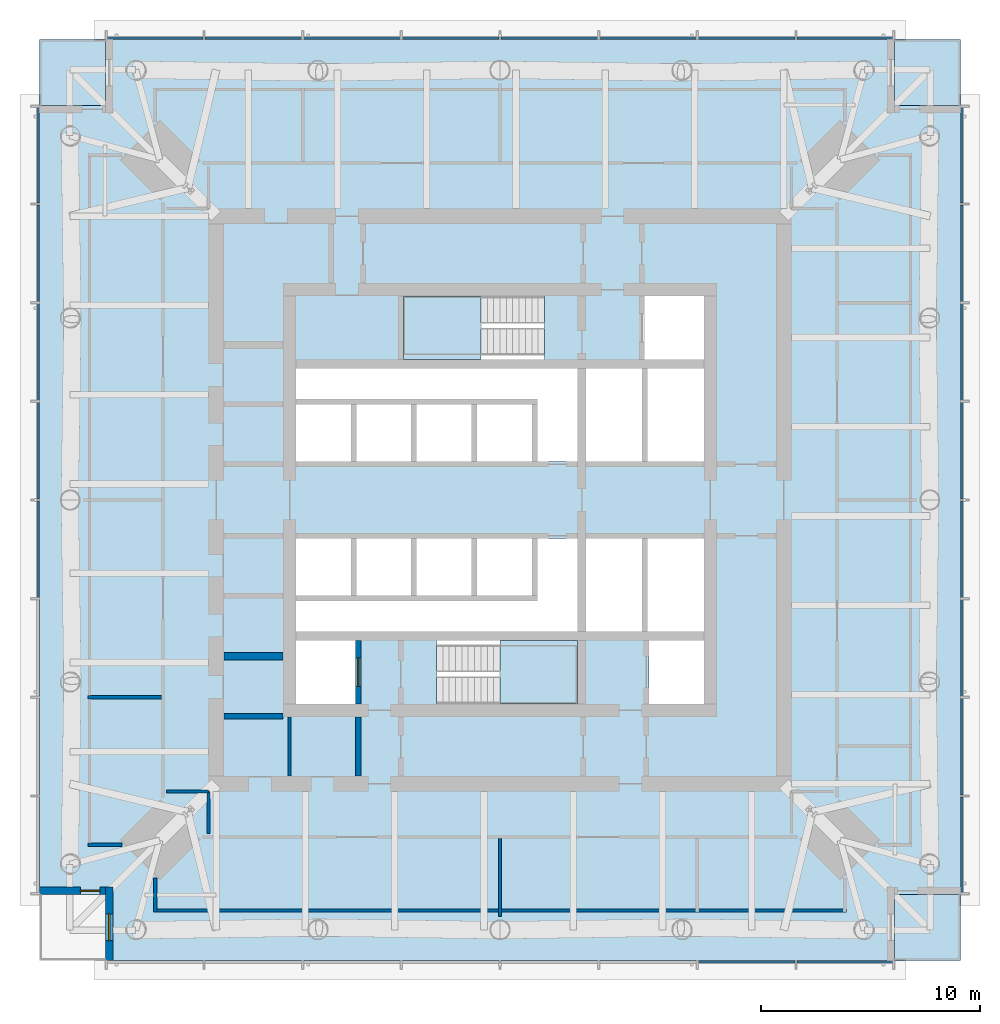
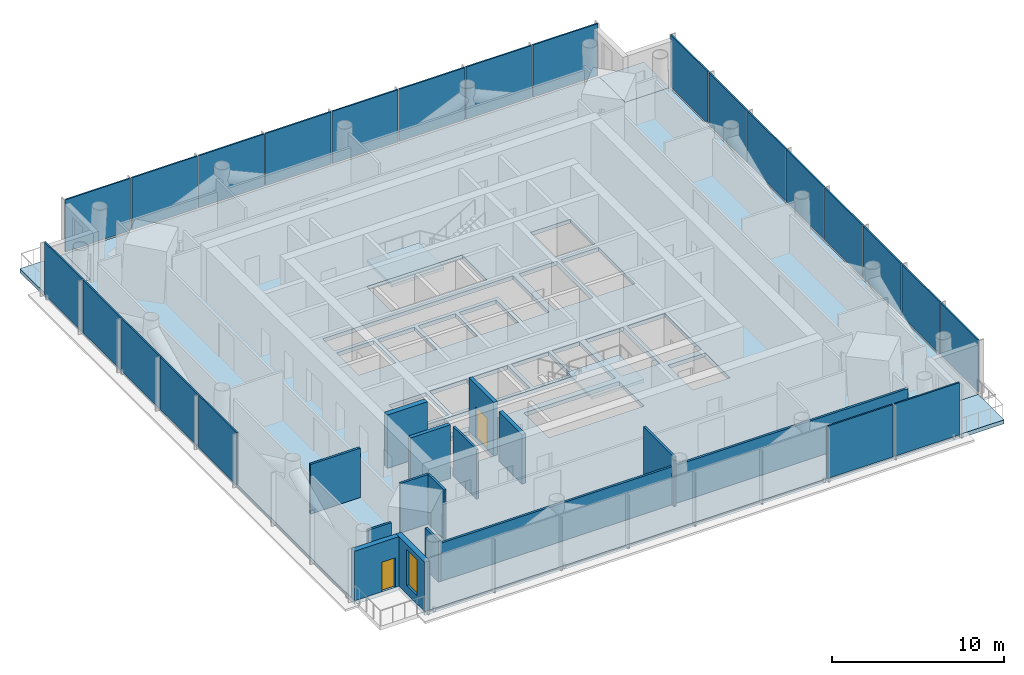
# One storey, part 4 of 13: 23 plates, 14 walls, 6 slabs, 2 doors, 1 window, 3 openings, 6 elements without a shape of their own.
"""IFC4 building model written with IfcOpenShell, lengths in metres."""

from ifc_helpers import new_model, si_unit, direction, frame, frame_2d, origin, origin_2d, place, context, subcontext, project, spatial, polyline, rectangle, outline, extrude, material, layer, layer_set, type_object, element, fill, aggregate, save


model = new_model("IFC4")

# Units and contexts
model_context = context("Model", 3, precision=1e-05, world=origin(), true_north=direction((0.0, 1.0)))
body_context = subcontext(model_context, "Body", "Model", "MODEL_VIEW")
ifc_project = project(units=[si_unit("LENGTHUNIT", "METRE"), si_unit("AREAUNIT", "SQUARE_METRE"), si_unit("VOLUMEUNIT", "CUBIC_METRE"), si_unit("PLANEANGLEUNIT", "RADIAN"), si_unit("MASSUNIT", "GRAM", prefix="KILO")], contexts=[model_context])

# Site, building, storey
site_placement = place(None, origin())
site = spatial("IfcSite", under=ifc_project, at=site_placement, CompositionType="ELEMENT")
building_placement = place(site_placement, origin())
building = spatial("IfcBuilding", under=site, at=building_placement, Name="Ostroluk Exchange", CompositionType="ELEMENT")
storey_placement = place(building_placement, frame((0.0, 0.0, 157.800048828125)))
storey = spatial("IfcBuildingStorey", under=building, at=storey_placement, Name="L40", CompositionType="ELEMENT", Elevation=157.800048828125)

# Curtain wall, plates
ifc_material_1 = material(Name="Laminated clear glass", Category="glass")
curtain_wall_type = type_object("IfcCurtainWallType", Name="Office tower plant and sky lobby facade", PredefinedType="USERDEFINED", material=ifc_material_1)
curtain_wall_1_placement = place(storey_placement, origin())
curtain_wall_1 = element("IfcCurtainWall", 1, at=curtain_wall_1_placement, inside=storey, type_object=curtain_wall_type, Name="Office tower south facade L40", ObjectType="LOUVRED CURTAIN WALL", PredefinedType="USERDEFINED")
ifc_material_2 = material(Name="Aluminium louvre", Category="aluminium")
ifc_layer_1 = layer(ifc_material_2, 0.10009765625)
ifc_layer_set_1 = layer_set([ifc_layer_1], Name="Aluminium louvre panel 100")
plate_type = type_object("IfcPlateType", Name="Aluminium louvre panel 100", PredefinedType="USERDEFINED", material=ifc_layer_set_1)
plate_1_placement = place(storey_placement, frame((56.25, 24.925048828125, 0.080078125), z_axis=(0.0, 0.0, 1.0), x_axis=(1.0, 0.0, 0.0)))
plate_1 = element("IfcPlate", 2, at=plate_1_placement, type_object=plate_type, Name="CW-P1 panel 7.1", ObjectType="LOUVRE PANEL", PredefinedType="USERDEFINED", context=body_context, shape_type="SweptSolid", body=[
    extrude(rectangle(XDim=4.419921875, YDim=0.10009765625, at=origin_2d()), origin(), (0.0, 0.0, 1.0), 3.719970703125),
])
plate_2_placement = place(storey_placement, frame((60.72998046875, 24.925048828125, 0.080078125), z_axis=(0.0, 0.0, 1.0), x_axis=(1.0, 0.0, 0.0)))
plate_2 = element("IfcPlate", 3, at=plate_2_placement, type_object=plate_type, Name="CW-P1 panel 8.1", ObjectType="LOUVRE PANEL", PredefinedType="USERDEFINED", context=body_context, shape_type="SweptSolid", body=[
    extrude(rectangle(XDim=4.3798828125, YDim=0.10009765625, at=origin_2d()), origin(), (0.0, 0.0, 1.0), 3.719970703125),
])
aggregate(curtain_wall_1, [plate_1, plate_2])

curtain_wall_2_placement = place(storey_placement, origin())
curtain_wall_2 = element("IfcCurtainWall", 4, at=curtain_wall_2_placement, inside=storey, type_object=curtain_wall_type, Name="Office tower east facade L40", ObjectType="LOUVRED CURTAIN WALL", PredefinedType="USERDEFINED")
plate_3_placement = place(storey_placement, frame((66.074951171875, 30.27001953125, 0.080078125), z_axis=(0.0, 0.0, 1.0), x_axis=(0.0, 1.0, 0.0)))
plate_3 = element("IfcPlate", 5, at=plate_3_placement, type_object=plate_type, Name="CW-P1 panel 1.1", ObjectType="LOUVRE PANEL", PredefinedType="USERDEFINED", context=body_context, shape_type="SweptSolid", body=[
    extrude(rectangle(XDim=4.3798828125, YDim=0.10009765625, at=origin_2d()), origin(), (0.0, 0.0, 1.0), 3.719970703125),
])
plate_4_placement = place(storey_placement, frame((66.074951171875, 34.75, 0.080078125), z_axis=(0.0, 0.0, 1.0), x_axis=(0.0, 1.0, 0.0)))
plate_4 = element("IfcPlate", 6, at=plate_4_placement, type_object=plate_type, Name="CW-P1 panel 2.1", ObjectType="LOUVRE PANEL", PredefinedType="USERDEFINED", context=body_context, shape_type="SweptSolid", body=[
    extrude(rectangle(XDim=4.419921875, YDim=0.10009765625, at=origin_2d()), origin(), (0.0, 0.0, 1.0), 3.719970703125),
])
plate_5_placement = place(storey_placement, frame((66.074951171875, 39.25, 0.080078125), z_axis=(0.0, 0.0, 1.0), x_axis=(0.0, 1.0, 0.0)))
plate_5 = element("IfcPlate", 7, at=plate_5_placement, type_object=plate_type, Name="CW-P1 panel 3.1", ObjectType="LOUVRE PANEL", PredefinedType="USERDEFINED", context=body_context, shape_type="SweptSolid", body=[
    extrude(rectangle(XDim=4.419921875, YDim=0.10009765625, at=origin_2d()), origin(), (0.0, 0.0, 1.0), 3.719970703125),
])
plate_6_placement = place(storey_placement, frame((66.074951171875, 43.75, 0.080078125), z_axis=(0.0, 0.0, 1.0), x_axis=(0.0, 1.0, 0.0)))
plate_6 = element("IfcPlate", 8, at=plate_6_placement, type_object=plate_type, Name="CW-P1 panel 4.1", ObjectType="LOUVRE PANEL", PredefinedType="USERDEFINED", context=body_context, shape_type="SweptSolid", body=[
    extrude(rectangle(XDim=4.419921875, YDim=0.10009765625, at=origin_2d()), origin(), (0.0, 0.0, 1.0), 3.719970703125),
])
plate_7_placement = place(storey_placement, frame((66.074951171875, 48.25, 0.080078125), z_axis=(0.0, 0.0, 1.0), x_axis=(0.0, 1.0, 0.0)))
plate_7 = element("IfcPlate", 9, at=plate_7_placement, type_object=plate_type, Name="CW-P1 panel 5.1", ObjectType="LOUVRE PANEL", PredefinedType="USERDEFINED", context=body_context, shape_type="SweptSolid", body=[
    extrude(rectangle(XDim=4.419921875, YDim=0.10009765625, at=origin_2d()), origin(), (0.0, 0.0, 1.0), 3.719970703125),
])
plate_8_placement = place(storey_placement, frame((66.074951171875, 52.75, 0.080078125), z_axis=(0.0, 0.0, 1.0), x_axis=(0.0, 1.0, 0.0)))
plate_8 = element("IfcPlate", 10, at=plate_8_placement, type_object=plate_type, Name="CW-P1 panel 6.1", ObjectType="LOUVRE PANEL", PredefinedType="USERDEFINED", context=body_context, shape_type="SweptSolid", body=[
    extrude(rectangle(XDim=4.419921875, YDim=0.10009765625, at=origin_2d()), origin(), (0.0, 0.0, 1.0), 3.719970703125),
])
plate_9_placement = place(storey_placement, frame((66.074951171875, 57.25, 0.080078125), z_axis=(0.0, 0.0, 1.0), x_axis=(0.0, 1.0, 0.0)))
plate_9 = element("IfcPlate", 11, at=plate_9_placement, type_object=plate_type, Name="CW-P1 panel 7.1", ObjectType="LOUVRE PANEL", PredefinedType="USERDEFINED", context=body_context, shape_type="SweptSolid", body=[
    extrude(rectangle(XDim=4.419921875, YDim=0.10009765625, at=origin_2d()), origin(), (0.0, 0.0, 1.0), 3.719970703125),
])
plate_10_placement = place(storey_placement, frame((66.074951171875, 61.72998046875, 0.080078125), z_axis=(0.0, 0.0, 1.0), x_axis=(0.0, 1.0, 0.0)))
plate_10 = element("IfcPlate", 12, at=plate_10_placement, type_object=plate_type, Name="CW-P1 panel 8.1", ObjectType="LOUVRE PANEL", PredefinedType="USERDEFINED", context=body_context, shape_type="SweptSolid", body=[
    extrude(rectangle(XDim=4.3798828125, YDim=0.10009765625, at=origin_2d()), origin(), (0.0, 0.0, 1.0), 3.719970703125),
])
aggregate(curtain_wall_2, [plate_3, plate_4, plate_5, plate_6, plate_7, plate_8, plate_9, plate_10])

curtain_wall_3_placement = place(storey_placement, origin())
curtain_wall_3 = element("IfcCurtainWall", 13, at=curtain_wall_3_placement, inside=storey, type_object=curtain_wall_type, Name="Office tower north facade L40", ObjectType="LOUVRED CURTAIN WALL", PredefinedType="USERDEFINED")
plate_11_placement = place(storey_placement, frame((60.72998046875, 67.074951171875, 0.080078125), z_axis=(0.0, 0.0, 1.0), x_axis=(-1.0, 0.0, 0.0)))
plate_11 = element("IfcPlate", 14, at=plate_11_placement, type_object=plate_type, Name="CW-P1 panel 1.1", ObjectType="LOUVRE PANEL", PredefinedType="USERDEFINED", context=body_context, shape_type="SweptSolid", body=[
    extrude(rectangle(XDim=4.3798828125, YDim=0.10009765625, at=origin_2d()), origin(), (0.0, 0.0, 1.0), 3.719970703125),
])
plate_12_placement = place(storey_placement, frame((56.25, 67.074951171875, 0.080078125), z_axis=(0.0, 0.0, 1.0), x_axis=(-1.0, 0.0, 0.0)))
plate_12 = element("IfcPlate", 15, at=plate_12_placement, type_object=plate_type, Name="CW-P1 panel 2.1", ObjectType="LOUVRE PANEL", PredefinedType="USERDEFINED", context=body_context, shape_type="SweptSolid", body=[
    extrude(rectangle(XDim=4.419921875, YDim=0.10009765625, at=origin_2d()), origin(), (0.0, 0.0, 1.0), 3.719970703125),
])
plate_13_placement = place(storey_placement, frame((51.75, 67.074951171875, 0.080078125), z_axis=(0.0, 0.0, 1.0), x_axis=(-1.0, 0.0, 0.0)))
plate_13 = element("IfcPlate", 16, at=plate_13_placement, type_object=plate_type, Name="CW-P1 panel 3.1", ObjectType="LOUVRE PANEL", PredefinedType="USERDEFINED", context=body_context, shape_type="SweptSolid", body=[
    extrude(rectangle(XDim=4.419921875, YDim=0.10009765625, at=origin_2d()), origin(), (0.0, 0.0, 1.0), 3.719970703125),
])
plate_14_placement = place(storey_placement, frame((47.25, 67.074951171875, 0.080078125), z_axis=(0.0, 0.0, 1.0), x_axis=(-1.0, 0.0, 0.0)))
plate_14 = element("IfcPlate", 17, at=plate_14_placement, type_object=plate_type, Name="CW-P1 panel 4.1", ObjectType="LOUVRE PANEL", PredefinedType="USERDEFINED", context=body_context, shape_type="SweptSolid", body=[
    extrude(rectangle(XDim=4.419921875, YDim=0.10009765625, at=origin_2d()), origin(), (0.0, 0.0, 1.0), 3.719970703125),
])
plate_15_placement = place(storey_placement, frame((42.75, 67.074951171875, 0.080078125), z_axis=(0.0, 0.0, 1.0), x_axis=(-1.0, 0.0, 0.0)))
plate_15 = element("IfcPlate", 18, at=plate_15_placement, type_object=plate_type, Name="CW-P1 panel 5.1", ObjectType="LOUVRE PANEL", PredefinedType="USERDEFINED", context=body_context, shape_type="SweptSolid", body=[
    extrude(rectangle(XDim=4.419921875, YDim=0.10009765625, at=origin_2d()), origin(), (0.0, 0.0, 1.0), 3.719970703125),
])
plate_16_placement = place(storey_placement, frame((38.25, 67.074951171875, 0.080078125), z_axis=(0.0, 0.0, 1.0), x_axis=(-1.0, 0.0, 0.0)))
plate_16 = element("IfcPlate", 19, at=plate_16_placement, type_object=plate_type, Name="CW-P1 panel 6.1", ObjectType="LOUVRE PANEL", PredefinedType="USERDEFINED", context=body_context, shape_type="SweptSolid", body=[
    extrude(rectangle(XDim=4.419921875, YDim=0.10009765625, at=origin_2d()), origin(), (0.0, 0.0, 1.0), 3.719970703125),
])
plate_17_placement = place(storey_placement, frame((33.75, 67.074951171875, 0.080078125), z_axis=(0.0, 0.0, 1.0), x_axis=(-1.0, 0.0, 0.0)))
plate_17 = element("IfcPlate", 20, at=plate_17_placement, type_object=plate_type, Name="CW-P1 panel 7.1", ObjectType="LOUVRE PANEL", PredefinedType="USERDEFINED", context=body_context, shape_type="SweptSolid", body=[
    extrude(rectangle(XDim=4.419921875, YDim=0.10009765625, at=origin_2d()), origin(), (0.0, 0.0, 1.0), 3.719970703125),
])
plate_18_placement = place(storey_placement, frame((29.27001953125, 67.074951171875, 0.080078125), z_axis=(0.0, 0.0, 1.0), x_axis=(-1.0, 0.0, 0.0)))
plate_18 = element("IfcPlate", 21, at=plate_18_placement, type_object=plate_type, Name="CW-P1 panel 8.1", ObjectType="LOUVRE PANEL", PredefinedType="USERDEFINED", context=body_context, shape_type="SweptSolid", body=[
    extrude(rectangle(XDim=4.3798828125, YDim=0.10009765625, at=origin_2d()), origin(), (0.0, 0.0, 1.0), 3.719970703125),
])
aggregate(curtain_wall_3, [plate_11, plate_12, plate_13, plate_14, plate_15, plate_16, plate_17, plate_18])

curtain_wall_4_placement = place(storey_placement, origin())
curtain_wall_4 = element("IfcCurtainWall", 22, at=curtain_wall_4_placement, inside=storey, type_object=curtain_wall_type, Name="Office tower west facade L40", ObjectType="LOUVRED CURTAIN WALL", PredefinedType="USERDEFINED")
plate_19_placement = place(storey_placement, frame((23.925048828125, 61.72998046875, 0.080078125), z_axis=(0.0, 0.0, 1.0), x_axis=(0.0, -1.0, 0.0)))
plate_19 = element("IfcPlate", 23, at=plate_19_placement, type_object=plate_type, Name="CW-P1 panel 1.1", ObjectType="LOUVRE PANEL", PredefinedType="USERDEFINED", context=body_context, shape_type="SweptSolid", body=[
    extrude(rectangle(XDim=4.3798828125, YDim=0.10009765625, at=origin_2d()), origin(), (0.0, 0.0, 1.0), 3.719970703125),
])
plate_20_placement = place(storey_placement, frame((23.925048828125, 57.25, 0.080078125), z_axis=(0.0, 0.0, 1.0), x_axis=(0.0, -1.0, 0.0)))
plate_20 = element("IfcPlate", 24, at=plate_20_placement, type_object=plate_type, Name="CW-P1 panel 2.1", ObjectType="LOUVRE PANEL", PredefinedType="USERDEFINED", context=body_context, shape_type="SweptSolid", body=[
    extrude(rectangle(XDim=4.419921875, YDim=0.10009765625, at=origin_2d()), origin(), (0.0, 0.0, 1.0), 3.719970703125),
])
plate_21_placement = place(storey_placement, frame((23.925048828125, 52.75, 0.080078125), z_axis=(0.0, 0.0, 1.0), x_axis=(0.0, -1.0, 0.0)))
plate_21 = element("IfcPlate", 25, at=plate_21_placement, type_object=plate_type, Name="CW-P1 panel 3.1", ObjectType="LOUVRE PANEL", PredefinedType="USERDEFINED", context=body_context, shape_type="SweptSolid", body=[
    extrude(rectangle(XDim=4.419921875, YDim=0.10009765625, at=origin_2d()), origin(), (0.0, 0.0, 1.0), 3.719970703125),
])
plate_22_placement = place(storey_placement, frame((23.925048828125, 48.25, 0.080078125), z_axis=(0.0, 0.0, 1.0), x_axis=(0.0, -1.0, 0.0)))
plate_22 = element("IfcPlate", 26, at=plate_22_placement, type_object=plate_type, Name="CW-P1 panel 4.1", ObjectType="LOUVRE PANEL", PredefinedType="USERDEFINED", context=body_context, shape_type="SweptSolid", body=[
    extrude(rectangle(XDim=4.419921875, YDim=0.10009765625, at=origin_2d()), origin(), (0.0, 0.0, 1.0), 3.719970703125),
])
plate_23_placement = place(storey_placement, frame((23.925048828125, 43.75, 0.080078125), z_axis=(0.0, 0.0, 1.0), x_axis=(0.0, -1.0, 0.0)))
plate_23 = element("IfcPlate", 27, at=plate_23_placement, type_object=plate_type, Name="CW-P1 panel 5.1", ObjectType="LOUVRE PANEL", PredefinedType="USERDEFINED", context=body_context, shape_type="SweptSolid", body=[
    extrude(rectangle(XDim=4.419921875, YDim=0.10009765625, at=origin_2d()), origin(), (0.0, 0.0, 1.0), 3.719970703125),
])
aggregate(curtain_wall_4, [plate_19, plate_20, plate_21, plate_22, plate_23])

# Slabs
ifc_material_3 = material(Name="Concrete C35/45", Category="concrete")
ifc_layer_2 = layer(ifc_material_3, 0.280029296875)
ifc_layer_set_2 = layer_set([ifc_layer_2], Name="Maintenance platform slab 280")
slab_type_1 = type_object("IfcSlabType", Name="Maintenance platform slab 280", PredefinedType="USERDEFINED", material=ifc_layer_set_2)
slab_1_placement = place(storey_placement, frame((0.0, 0.0, -0.280029296875)))
element("IfcSlab", 28, at=slab_1_placement, inside=storey, type_object=slab_type_1, Name="Office tower SE maintenance platform L40", ObjectType="MAINTENANCE PLATFORM", PredefinedType="USERDEFINED", context=body_context, shape_type="SweptSolid", body=[
    extrude(outline(polyline([(63.0, 25.0), (66.0, 25.0), (66.0, 28.0), (63.0, 28.0), (63.0, 25.0)])), origin(), (0.0, 0.0, 1.0), 0.280029296875),
])
slab_2_placement = place(storey_placement, frame((0.0, 0.0, -0.280029296875)))
element("IfcSlab", 29, at=slab_2_placement, inside=storey, type_object=slab_type_1, Name="Office tower NE maintenance platform L40", ObjectType="MAINTENANCE PLATFORM", PredefinedType="USERDEFINED", context=body_context, shape_type="SweptSolid", body=[
    extrude(outline(polyline([(63.0, 64.0), (66.0, 64.0), (66.0, 67.0), (63.0, 67.0), (63.0, 64.0)])), origin(), (0.0, 0.0, 1.0), 0.280029296875),
])
slab_3_placement = place(storey_placement, frame((0.0, 0.0, -0.280029296875)))
element("IfcSlab", 30, at=slab_3_placement, inside=storey, type_object=slab_type_1, Name="Office tower NW maintenance platform L40", ObjectType="MAINTENANCE PLATFORM", PredefinedType="USERDEFINED", context=body_context, shape_type="SweptSolid", body=[
    extrude(outline(polyline([(24.0, 64.0), (27.0, 64.0), (27.0, 67.0), (24.0, 67.0), (24.0, 64.0)])), origin(), (0.0, 0.0, 1.0), 0.280029296875),
])

# Stair, slab
ifc_material_4 = material(Name="Concrete C30/37", Category="concrete")
stair_type = type_object("IfcStairType", Name="Exit stair half turn 3800", PredefinedType="HALF_TURN_STAIR", material=ifc_material_4)
stair_1_placement = place(storey_placement, origin())
stair_1 = element("IfcStair", 31, at=stair_1_placement, inside=storey, type_object=stair_type, Name="Stair T1-S1 L40", PredefinedType="HALF_TURN_STAIR")
ifc_material_5 = material(Name="Concrete C30/37", Category="concrete")
ifc_layer_3 = layer(ifc_material_5, 0.199951171875)
ifc_layer_set_3 = layer_set([ifc_layer_3], Name="Stair landing 200")
slab_type_2 = type_object("IfcSlabType", Name="Stair landing 200", PredefinedType="LANDING", material=ifc_layer_set_3)
slab_4_placement = place(storey_placement, frame((0.0, 0.0, 1.699951171875)))
slab_4 = element("IfcSlab", 32, at=slab_4_placement, type_object=slab_type_2, Name="T1-S1 landing 1", PredefinedType="LANDING", context=body_context, shape_type="SweptSolid", body=[
    extrude(outline(polyline([(45.0, 36.699951171875), (45.0, 39.60009765625), (48.530029296875, 39.60009765625), (48.530029296875, 36.699951171875), (45.0, 36.699951171875)])), origin(), (0.0, 0.0, 1.0), 0.199951171875),
])
aggregate(stair_1, [slab_4])

stair_2_placement = place(storey_placement, origin())
stair_2 = element("IfcStair", 33, at=stair_2_placement, inside=storey, type_object=stair_type, Name="Stair T1-S2 L40", PredefinedType="HALF_TURN_STAIR")
slab_5_placement = place(storey_placement, frame((0.0, 0.0, 1.699951171875)))
slab_5 = element("IfcSlab", 34, at=slab_5_placement, type_object=slab_type_2, Name="T1-S2 landing 1", PredefinedType="LANDING", context=body_context, shape_type="SweptSolid", body=[
    extrude(outline(polyline([(44.1298828125, 52.39990234375), (44.1298828125, 55.300048828125), (40.60009765625, 55.300048828125), (40.60009765625, 52.39990234375), (44.1298828125, 52.39990234375)])), origin(), (0.0, 0.0, 1.0), 0.199951171875),
])
aggregate(stair_2, [slab_5])

# Slab
ifc_material_6 = material(Name="Concrete C35/45", Category="concrete")
ifc_layer_4 = layer(ifc_material_6, 0.280029296875)
ifc_layer_set_4 = layer_set([ifc_layer_4], Name="Tower floor slab 280")
slab_type_3 = type_object("IfcSlabType", Name="Tower floor slab 280", PredefinedType="FLOOR", material=ifc_layer_set_4)
slab_6_placement = place(storey_placement, frame((0.0, 0.0, -0.280029296875)))
element("IfcSlab", 35, at=slab_6_placement, inside=storey, type_object=slab_type_3, Name="Office tower floor slab L40", PredefinedType="FLOOR", context=body_context, shape_type="SweptSolid", body=[
    extrude(outline(polyline([(27.0, 25.0), (63.0, 25.0), (63.0, 28.0), (66.0, 28.0), (66.0, 64.0), (63.0, 64.0), (63.0, 67.0), (27.0, 67.0), (27.0, 64.0), (24.0, 64.0), (24.0, 28.0), (27.0, 28.0), (27.0, 25.0)]), holes=[polyline([(35.699951171875, 36.699951171875), (38.39990234375, 36.699951171875), (38.39990234375, 39.60009765625), (35.699951171875, 39.60009765625), (35.699951171875, 36.699951171875)]), polyline([(42.110107421875, 36.699951171875), (48.530029296875, 36.699951171875), (48.530029296875, 39.60009765625), (42.110107421875, 39.60009765625), (42.110107421875, 36.699951171875)]), polyline([(51.800048828125, 36.699951171875), (54.300048828125, 36.699951171875), (54.300048828125, 39.60009765625), (51.800048828125, 39.60009765625), (51.800048828125, 36.699951171875)]), polyline([(40.60009765625, 52.39990234375), (47.02001953125, 52.39990234375), (47.02001953125, 55.300048828125), (40.60009765625, 55.300048828125), (40.60009765625, 52.39990234375)]), polyline([(51.60009765625, 52.39990234375), (54.300048828125, 52.39990234375), (54.300048828125, 55.300048828125), (51.60009765625, 55.300048828125), (51.60009765625, 52.39990234375)]), polyline([(35.699951171875, 47.75), (38.199951171875, 47.75), (38.199951171875, 50.35009765625), (35.699951171875, 50.35009765625), (35.699951171875, 47.75)]), polyline([(38.449951171875, 47.75), (40.949951171875, 47.75), (40.949951171875, 50.35009765625), (38.449951171875, 50.35009765625), (38.449951171875, 47.75)]), polyline([(41.199951171875, 47.75), (43.699951171875, 47.75), (43.699951171875, 50.35009765625), (41.199951171875, 50.35009765625), (41.199951171875, 47.75)]), polyline([(43.949951171875, 47.75), (46.449951171875, 47.75), (46.449951171875, 50.35009765625), (43.949951171875, 50.35009765625), (43.949951171875, 47.75)]), polyline([(35.699951171875, 41.64990234375), (38.199951171875, 41.64990234375), (38.199951171875, 44.25), (35.699951171875, 44.25), (35.699951171875, 41.64990234375)]), polyline([(38.449951171875, 41.64990234375), (40.949951171875, 41.64990234375), (40.949951171875, 44.25), (38.449951171875, 44.25), (38.449951171875, 41.64990234375)]), polyline([(41.199951171875, 41.64990234375), (43.699951171875, 41.64990234375), (43.699951171875, 44.25), (41.199951171875, 44.25), (41.199951171875, 41.64990234375)]), polyline([(43.949951171875, 41.64990234375), (46.449951171875, 41.64990234375), (46.449951171875, 44.25), (43.949951171875, 44.25), (43.949951171875, 41.64990234375)]), polyline([(48.929931640625, 47.75), (51.489990234375, 47.75), (51.489990234375, 52.0), (48.929931640625, 52.0), (48.929931640625, 47.75)]), polyline([(51.739990234375, 47.75), (54.300048828125, 47.75), (54.300048828125, 52.0), (51.739990234375, 52.0), (51.739990234375, 47.75)]), polyline([(48.929931640625, 40.0), (51.489990234375, 40.0), (51.489990234375, 44.25), (48.929931640625, 44.25), (48.929931640625, 40.0)]), polyline([(51.739990234375, 40.0), (54.300048828125, 40.0), (54.300048828125, 44.25), (51.739990234375, 44.25), (51.739990234375, 40.0)]), polyline([(48.530029296875, 52.0), (48.530029296875, 47.75), (46.699951171875, 47.75), (46.699951171875, 50.60009765625), (35.699951171875, 50.60009765625), (35.699951171875, 52.0), (48.530029296875, 52.0)]), polyline([(35.699951171875, 40.0), (35.699951171875, 41.39990234375), (46.699951171875, 41.39990234375), (46.699951171875, 44.25), (48.530029296875, 44.25), (48.530029296875, 40.0), (35.699951171875, 40.0)])]), origin(), (0.0, 0.0, 1.0), 0.280029296875),
])

# Walls
ifc_material_7 = material(Name="Concrete blockwork", Category="masonry")
ifc_layer_5 = layer(ifc_material_7, 0.14990234375)
ifc_layer_set_5 = layer_set([ifc_layer_5], Name="Blockwork plant room wall 150")
wall_type_1 = type_object("IfcWallType", Name="Blockwork plant room wall 150", PredefinedType="SOLIDWALL", material=ifc_layer_set_5)
wall_1_placement = place(storey_placement, frame((35.39990234375, 33.39990234375, 0.0), z_axis=(0.0, 0.0, 1.0), x_axis=(0.0, 1.0, 0.0)))
element("IfcWall", 36, at=wall_1_placement, inside=storey, type_object=wall_type_1, Name="Core room wall", PredefinedType="SOLIDWALL", context=body_context, shape_type="SweptSolid", body=[
    extrude(rectangle(XDim=2.7001953125, YDim=0.14990234375, at=frame_2d((1.35009765625, 0.0))), origin(), (0.0, 0.0, 1.0), 3.52001953125),
])
wall_2_placement = place(storey_placement, frame((29.550048828125, 37.0, 0.0), z_axis=(0.0, 0.0, 1.0), x_axis=(-1.0, 0.0, 0.0)))
element("IfcWall", 37, at=wall_2_placement, inside=storey, type_object=wall_type_1, Name="Plant room wall", PredefinedType="SOLIDWALL", context=body_context, shape_type="SweptSolid", body=[
    extrude(rectangle(XDim=3.35009765625, YDim=0.14990234375, at=frame_2d((1.675048828125, 0.0))), origin(), (0.0, 0.0, 1.0), 3.52001953125),
])
wall_3_placement = place(storey_placement, frame((45.0, 30.550048828125, 0.0), z_axis=(0.0, 0.0, 1.0), x_axis=(0.0, -1.0, 0.0)))
element("IfcWall", 38, at=wall_3_placement, inside=storey, type_object=wall_type_1, Name="Plant room wall", PredefinedType="SOLIDWALL", context=body_context, shape_type="SweptSolid", body=[
    extrude(rectangle(XDim=3.56005859375, YDim=0.14990234375, at=frame_2d((1.780029296875, 0.0))), origin(), (0.0, 0.0, 1.0), 3.52001953125),
])
ifc_material_8 = material(Name="Concrete blockwork", Category="masonry")
ifc_layer_6 = layer(ifc_material_8, 0.25)
ifc_layer_set_6 = layer_set([ifc_layer_6], Name="Blockwork stair enclosure wall 250")
wall_type_2 = type_object("IfcWallType", Name="Blockwork stair enclosure wall 250", PredefinedType="SOLIDWALL", material=ifc_layer_set_6)
wall_4_placement = place(storey_placement, frame((38.52490234375, 33.39990234375, 0.0), z_axis=(0.0, 0.0, 1.0), x_axis=(0.0, 1.0, 0.0)))
element("IfcWall", 39, at=wall_4_placement, inside=storey, type_object=wall_type_2, Name="Fire lobby enclosure wall", PredefinedType="SOLIDWALL", context=body_context, shape_type="SweptSolid", body=[
    extrude(rectangle(XDim=2.7001953125, YDim=0.25, at=frame_2d((1.35009765625, 0.0))), origin(), (0.0, 0.0, 1.0), 3.52001953125),
])

# Wall, opening, door
ifc_material_9 = material(Name="Concrete C40/50", Category="concrete")
ifc_layer_7 = layer(ifc_material_9, 0.25)
ifc_layer_set_7 = layer_set([ifc_layer_7], Name="Core shaft wall 250")
wall_type_3 = type_object("IfcWallType", Name="Core shaft wall 250", PredefinedType="SHEAR", material=ifc_layer_set_7)
wall_5_placement = place(storey_placement, frame((38.52490234375, 36.699951171875, 0.0), z_axis=(0.0, 0.0, 1.0), x_axis=(0.0, 1.0, 0.0)))
wall_5 = element("IfcWall", 40, at=wall_5_placement, inside=storey, type_object=wall_type_3, Name="Firefighting lift shaft wall", PredefinedType="SHEAR", context=body_context, shape_type="SweptSolid", body=[
    extrude(rectangle(XDim=2.900146484375, YDim=0.25, at=frame_2d((1.4501953125, 0.0))), origin(), (0.0, 0.0, 1.0), 3.800048828125),
])
opening_1_placement = place(wall_5_placement, frame((0.800048828125, 0.0, 0.0)))
opening_1 = element("IfcOpeningElement", 41, at=opening_1_placement, cuts=wall_5, Name="Opening LD2", PredefinedType="OPENING", context=body_context, shape_type="SweptSolid", body=[
    extrude(rectangle(XDim=1.300048828125, YDim=2.199951171875, at=frame_2d((0.64990234375, 1.10009765625))), frame((0.0, 0.135009765625, 0.0), z_axis=(0.0, -1.0, 0.0), x_axis=(1.0, 0.0, 0.0)), (0.0, 0.0, 1.0), 0.27001953125),
])
ifc_material_10 = material(Name="Stainless steel", Category="steel")
door_type_1 = type_object("IfcDoorType", Name="Lift landing door E 60 1300 x 2200", OperationType="DOUBLE_DOOR_SLIDING", PredefinedType="DOOR", material=ifc_material_10)
door_1_placement = place(opening_1_placement, origin())
door_1 = element("IfcDoor", 42, at=door_1_placement, inside=storey, type_object=door_type_1, Name="Lift FL1 landing door", OperationType="DOUBLE_DOOR_SLIDING", OverallHeight=2.199951171875, OverallWidth=1.300048828125, PredefinedType="DOOR", context=body_context, shape_type="SweptSolid", body=[
    extrude(rectangle(XDim=1.300048828125, YDim=2.199951171875, at=frame_2d((0.64990234375, 1.10009765625))), frame((0.0, 0.02490234375, 0.0), z_axis=(0.0, -1.0, 0.0), x_axis=(1.0, 0.0, 0.0)), (0.0, 0.0, 1.0), 0.050048828125),
])
fill(opening_1, door_1)

# Walls
wall_6_placement = place(storey_placement, frame((32.39990234375, 36.125, 0.0), z_axis=(0.0, 0.0, 1.0), x_axis=(1.0, 0.0, 0.0)))
element("IfcWall", 43, at=wall_6_placement, inside=storey, type_object=wall_type_3, Name="Lift shaft wall", PredefinedType="SHEAR", context=body_context, shape_type="SweptSolid", body=[
    extrude(rectangle(XDim=2.7001953125, YDim=0.25, at=frame_2d((1.35009765625, 0.0))), origin(), (0.0, 0.0, 1.0), 3.800048828125),
])
wall_7_placement = place(storey_placement, frame((32.39990234375, 38.875, 0.0), z_axis=(0.0, 0.0, 1.0), x_axis=(1.0, 0.0, 0.0)))
element("IfcWall", 44, at=wall_7_placement, inside=storey, type_object=wall_type_3, Name="Lift shaft wall", PredefinedType="SHEAR", context=body_context, shape_type="SweptSolid", body=[
    extrude(rectangle(XDim=2.7001953125, YDim=0.35009765625, at=frame_2d((1.35009765625, 0.0))), origin(), (0.0, 0.0, 1.0), 3.800048828125),
])

# Wall, opening, window
ifc_material_11 = material(Name="Limestone", Category="masonry")
ifc_layer_8 = layer(ifc_material_11, 0.35009765625)
ifc_layer_set_8 = layer_set([ifc_layer_8], Name="Limestone facade wall 350")
wall_type_4 = type_object("IfcWallType", Name="Limestone facade wall 350", PredefinedType="SOLIDWALL", material=ifc_layer_set_8)
wall_8_placement = place(storey_placement, frame((27.175048828125, 25.0, 0.0), z_axis=(0.0, 0.0, 1.0), x_axis=(0.0, 1.0, 0.0)))
wall_8 = element("IfcWall", 45, at=wall_8_placement, inside=storey, type_object=wall_type_4, Name="Office tower SW corner wall L40 a", PredefinedType="SOLIDWALL", context=body_context, shape_type="SweptSolid", body=[
    extrude(rectangle(XDim=3.35009765625, YDim=0.35009765625, at=frame_2d((1.675048828125, 0.0))), origin(), (0.0, 0.0, 1.0), 3.52001953125),
])
opening_2_placement = place(wall_8_placement, frame((0.89990234375, 0.0, 0.60009765625)))
opening_2 = element("IfcOpeningElement", 46, at=opening_2_placement, cuts=wall_8, Name="Opening WN-LV1", PredefinedType="OPENING", context=body_context, shape_type="SweptSolid", body=[
    extrude(rectangle(XDim=1.199951171875, YDim=2.550048828125, at=frame_2d((0.60009765625, 1.27490234375))), frame((0.0, 0.18505859375, 0.0), z_axis=(0.0, -1.0, 0.0), x_axis=(1.0, 0.0, 0.0)), (0.0, 0.0, 1.0), 0.3701171875),
])
ifc_material_12 = material(Name="Aluminium louvre", Category="aluminium")
window_type = type_object("IfcWindowType", Name="Lancet louvre 1200 x 2550", PartitioningType="SINGLE_PANEL", PredefinedType="USERDEFINED", material=ifc_material_12)
window_placement = place(opening_2_placement, origin())
window = element("IfcWindow", 47, at=window_placement, inside=storey, type_object=window_type, Name="Office tower SW plant louvre L40", ObjectType="LOUVRE", OverallHeight=2.550048828125, OverallWidth=1.199951171875, PartitioningType="SINGLE_PANEL", PredefinedType="USERDEFINED", context=body_context, shape_type="SweptSolid", body=[
    extrude(rectangle(XDim=1.199951171875, YDim=2.550048828125, at=frame_2d((0.60009765625, 1.27490234375))), frame((0.0, 0.030029296875, 0.0), z_axis=(0.0, -1.0, 0.0), x_axis=(1.0, 0.0, 0.0)), (0.0, 0.0, 1.0), 0.06005859375),
])
fill(opening_2, window)

# Wall, opening, door
wall_9_placement = place(storey_placement, frame((27.0, 28.175048828125, 0.0), z_axis=(0.0, 0.0, 1.0), x_axis=(-1.0, 0.0, 0.0)))
wall_9 = element("IfcWall", 48, at=wall_9_placement, inside=storey, type_object=wall_type_4, Name="Office tower SW corner wall L40 b", PredefinedType="SOLIDWALL", context=body_context, shape_type="SweptSolid", body=[
    extrude(rectangle(XDim=3.0, YDim=0.35009765625, at=frame_2d((1.5, 0.0))), origin(), (0.0, 0.0, 1.0), 3.52001953125),
])
opening_3_placement = place(wall_9_placement, frame((0.25, 0.0, 0.0)))
opening_3 = element("IfcOpeningElement", 49, at=opening_3_placement, cuts=wall_9, Name="Opening D-M1", PredefinedType="OPENING", context=body_context, shape_type="SweptSolid", body=[
    extrude(rectangle(XDim=0.89990234375, YDim=2.10009765625, at=frame_2d((0.449951171875, 1.050048828125))), frame((0.0, 0.18505859375, 0.0), z_axis=(0.0, -1.0, 0.0), x_axis=(1.0, 0.0, 0.0)), (0.0, 0.0, 1.0), 0.3701171875),
])
ifc_material_13 = material(Name="Steel door", Category="steel")
door_type_2 = type_object("IfcDoorType", Name="Maintenance access door 900 x 2100", OperationType="SINGLE_SWING_LEFT", PredefinedType="DOOR", material=ifc_material_13)
door_2_placement = place(opening_3_placement, origin())
door_2 = element("IfcDoor", 50, at=door_2_placement, inside=storey, type_object=door_type_2, Name="Maintenance access door T1 L40 SW", OperationType="SINGLE_SWING_LEFT", OverallHeight=2.10009765625, OverallWidth=0.89990234375, PredefinedType="DOOR", context=body_context, shape_type="SweptSolid", body=[
    extrude(rectangle(XDim=0.89990234375, YDim=2.10009765625, at=frame_2d((0.449951171875, 1.050048828125))), frame((0.0, 0.02490234375, 0.0), z_axis=(0.0, -1.0, 0.0), x_axis=(1.0, 0.0, 0.0)), (0.0, 0.0, 1.0), 0.050048828125),
])
fill(opening_3, door_2)

# Walls
ifc_material_14 = material(Name="Gypsum plasterboard partition", Category="gypsum")
ifc_layer_9 = layer(ifc_material_14, 0.14990234375)
ifc_layer_set_9 = layer_set([ifc_layer_9], Name="Plasterboard partition 150")
wall_type_5 = type_object("IfcWallType", Name="Plasterboard partition 150", PredefinedType="PARTITIONING", material=ifc_layer_set_9)
for number, where, z_axis, x_axis, name in (
    (51, (31.699951171875, 32.699951171875, 0.0), (0.0, 0.0, 1.0), (-1.0, 0.0, 0.0), "Partition"),
    (52, (31.699951171875, 32.699951171875, 0.0), (0.0, 0.0, 1.0), (0.0, -1.0, 0.0), "Partition"),
):
    element("IfcWall", number, at=place(storey_placement, frame(where, z_axis=z_axis, x_axis=x_axis)), inside=storey, type_object=wall_type_5, Name=name, PredefinedType="PARTITIONING", context=body_context, shape_type="SweptSolid", body=[
        extrude(rectangle(XDim=1.917236328125, YDim=0.14990234375, at=frame_2d((0.95849609375, 0.0))), origin(), (0.0, 0.0, 1.0), 3.52001953125),
    ])
for number, where, z_axis, x_axis, name in (
    (53, (29.27490234375, 27.199951171875, 0.0), (0.0, 0.0, 1.0), (0.0, 1.0, 0.0), "Truss zone partition"),
    (54, (27.75439453125, 30.27490234375, 0.0), (0.0, 0.0, 1.0), (-1.0, 0.0, 0.0), "Truss zone partition"),
):
    element("IfcWall", number, at=place(storey_placement, frame(where, z_axis=z_axis, x_axis=x_axis)), inside=storey, type_object=wall_type_5, Name=name, PredefinedType="PARTITIONING", context=body_context, shape_type="SweptSolid", body=[
        extrude(rectangle(XDim=1.554443359375, YDim=0.14990234375, at=frame_2d((0.77734375, 0.0))), origin(), (0.0, 0.0, 1.0), 2.919921875),
    ])
wall_10_placement = place(storey_placement, frame((60.800048828125, 27.27490234375, 0.0), z_axis=(0.0, 0.0, 1.0), x_axis=(-1.0, 0.0, 0.0)))
element("IfcWall", 55, at=wall_10_placement, inside=storey, type_object=wall_type_5, Name="Truss zone partition", PredefinedType="PARTITIONING", context=body_context, shape_type="SweptSolid", body=[
    extrude(rectangle(XDim=31.60009765625, YDim=0.14990234375, at=frame_2d((15.800048828125, 0.0))), origin(), (0.0, 0.0, 1.0), 2.7060546875),
])

save(model, "model.ifc")
